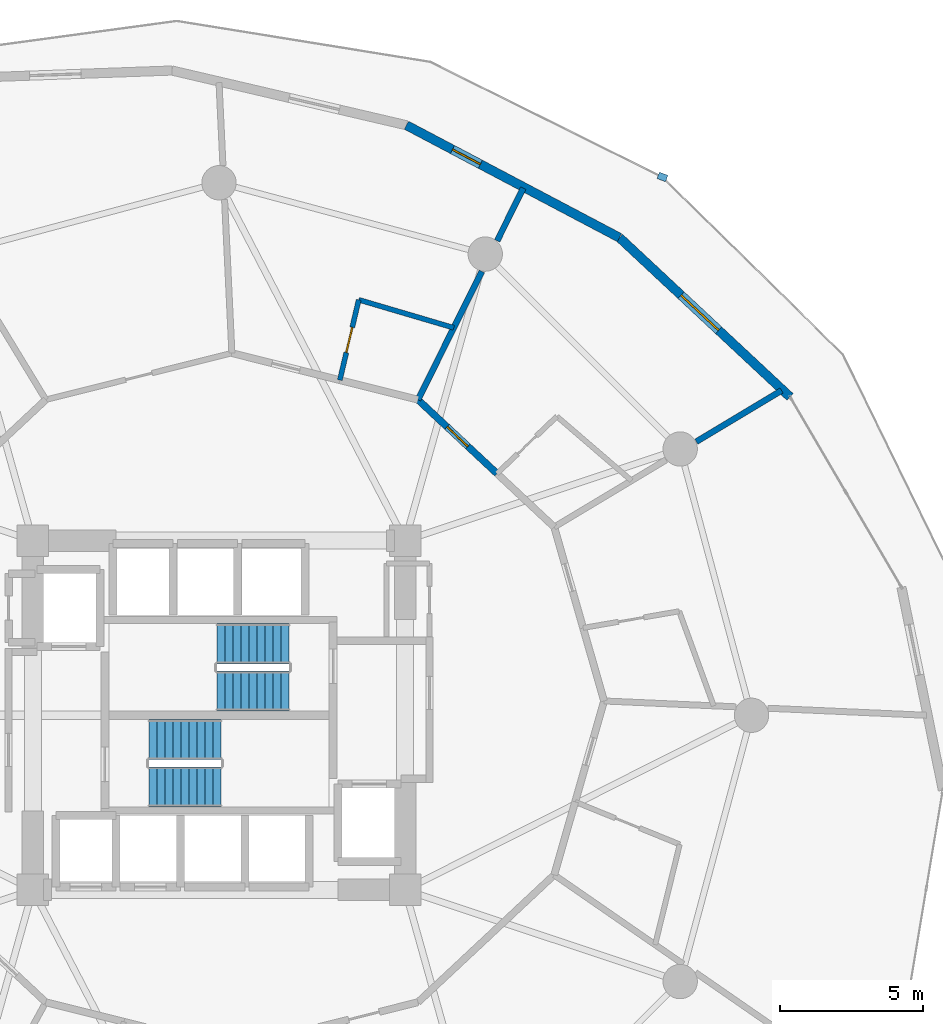
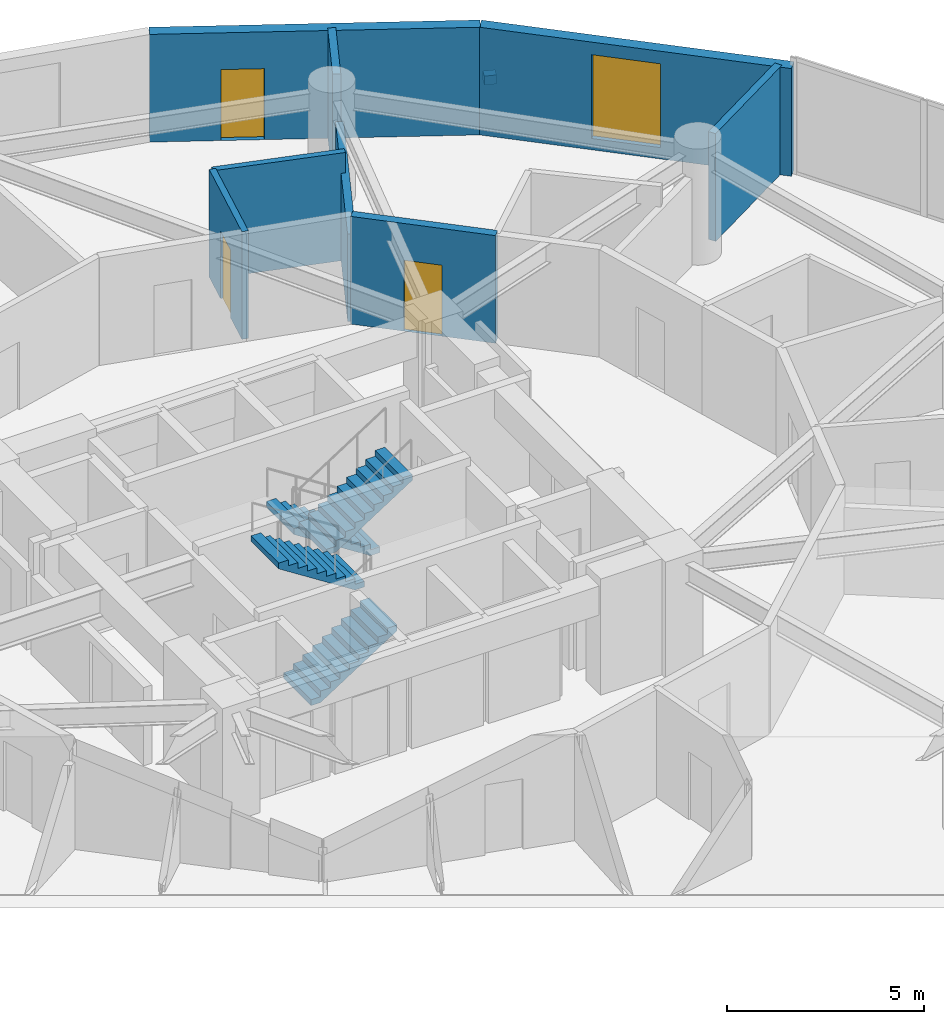
# One storey, part 21 of 23: 8 walls, 4 stair flights, 3 doors, 1 discrete accessory, 1 window, 4 openings, 2 elements without a shape of their own.
"""IFC4 building model written with IfcOpenShell, lengths in metres."""

from ifc_helpers import new_model, si_unit, direction, frame, frame_2d, origin, origin_2d, place, context, subcontext, project, spatial, polyline, rectangle, outline, extrude, material, layer, layer_set, type_object, element, fill, aggregate, save


model = new_model("IFC4")

# Units and contexts
model_context = context("Model", 3, precision=1e-05, world=origin(), true_north=direction((0.0, 1.0)))
body_context = subcontext(model_context, "Body", "Model", "MODEL_VIEW")
ifc_project = project(units=[si_unit("LENGTHUNIT", "METRE"), si_unit("AREAUNIT", "SQUARE_METRE"), si_unit("VOLUMEUNIT", "CUBIC_METRE"), si_unit("PLANEANGLEUNIT", "RADIAN"), si_unit("MASSUNIT", "GRAM", prefix="KILO")], contexts=[model_context])

# Site, building, storey
site_placement = place(None, origin())
site = spatial("IfcSite", under=ifc_project, at=site_placement, CompositionType="ELEMENT")
building_placement = place(site_placement, origin())
building = spatial("IfcBuilding", under=site, at=building_placement, Name="Solvirekh Grand Hotel", CompositionType="ELEMENT")
storey_placement = place(building_placement, frame((0.0, 0.0, 75.199951171875)))
storey = spatial("IfcBuildingStorey", under=building, at=storey_placement, Name="L18", CompositionType="ELEMENT", Elevation=75.199951171875)

# Wall, opening, window
ifc_material_1 = material(Name="Precast concrete C45/55", Category="concrete")
ifc_layer_1 = layer(ifc_material_1, 0.320068359375)
ifc_layer_set_1 = layer_set([ifc_layer_1], Name="Precast concrete C45/55")
wall_type_1 = type_object("IfcWallType", Name="ExtLobbyWall_RC320", PredefinedType="SOLIDWALL", material=ifc_layer_set_1)
wall_1_placement = place(storey_placement, frame((13.987060546875, 16.681884765625, 0.0), z_axis=(0.0, 0.0, 1.0), x_axis=(0.73100047145, -0.682376956484, 0.0)))
wall_1 = element("IfcWall", 1, at=wall_1_placement, inside=storey, type_object=wall_type_1, Name="L18 exterior structural wall chord 4", PredefinedType="SOLIDWALL", context=body_context, shape_type="SweptSolid", body=[
    extrude(rectangle(XDim=8.149169921875, YDim=0.320068359375, at=frame_2d((4.07470703125, 0.0))), origin(), (0.0, 0.0, 1.0), 3.340087890625),
])
opening_1_placement = place(wall_1_placement, frame((2.94091796875, 0.0, 0.35009765625)))
opening_1 = element("IfcOpeningElement", 2, at=opening_1_placement, cuts=wall_1, Name="Opening W02", PredefinedType="OPENING", context=body_context, shape_type="SweptSolid", body=[
    extrude(rectangle(XDim=1.800048828125, YDim=2.60009765625, at=frame_2d((0.89990234375, 1.300048828125))), frame((0.0, 0.169921875, 0.0), z_axis=(0.0, -1.0, 0.0), x_axis=(1.0, 0.0, 0.0)), (0.0, 0.0, 1.0), 0.340087890625),
])
ifc_material_2 = material(Name="Low-E Tinted Bronze Laminated Glass", Category="aluminium")
window_type = type_object("IfcWindowType", Name="Win_LobbyExt_1800X2600", PartitioningType="SINGLE_PANEL", PredefinedType="WINDOW", material=ifc_material_2)
window_placement = place(opening_1_placement, origin())
window = element("IfcWindow", 3, at=window_placement, inside=storey, type_object=window_type, Name="L18 panoramic bronze-framed window 4", OverallHeight=2.60009765625, OverallWidth=1.800048828125, PartitioningType="SINGLE_PANEL", PredefinedType="WINDOW", context=body_context, shape_type="SweptSolid", body=[
    extrude(rectangle(XDim=1.800048828125, YDim=2.60009765625, at=frame_2d((0.89990234375, 1.300048828125))), frame((0.0, 0.030029296875, 0.0), z_axis=(0.0, -1.0, 0.0), x_axis=(1.0, 0.0, 0.0)), (0.0, 0.0, 1.0), 0.06005859375),
])
fill(opening_1, window)

# Wall, opening, door
wall_2_placement = place(storey_placement, frame((6.547119140625, 20.60888671875, 0.0), z_axis=(0.0, 0.0, 1.0), x_axis=(0.88436678303, -0.466792666044, 0.0)))
wall_2 = element("IfcWall", 4, at=wall_2_placement, inside=storey, type_object=wall_type_1, Name="L18 exterior structural wall chord 5", PredefinedType="SOLIDWALL", context=body_context, shape_type="SweptSolid", body=[
    extrude(rectangle(XDim=8.412841796875, YDim=0.320068359375, at=frame_2d((4.20654296875, 0.0))), origin(), (0.0, 0.0, 1.0), 3.340087890625),
])
opening_2_placement = place(wall_2_placement, frame((1.818115234375, 0.0, 0.0)))
opening_2 = element("IfcOpeningElement", 5, at=opening_2_placement, cuts=wall_2, Name="Opening D03", PredefinedType="OPENING", context=body_context, shape_type="SweptSolid", body=[
    extrude(rectangle(XDim=1.10009765625, YDim=2.199951171875, at=frame_2d((0.550048828125, 1.10009765625))), frame((0.0, 0.169921875, 0.0), z_axis=(0.0, -1.0, 0.0), x_axis=(1.0, 0.0, 0.0)), (0.0, 0.0, 1.0), 0.340087890625),
])
ifc_material_3 = material(Name="Anodized Bronze Aluminium 6063-T6", Category="aluminium")
door_type_1 = type_object("IfcDoorType", Name="Door_ExtBalcony_1100X2200", OperationType="NOTDEFINED", PredefinedType="DOOR", material=ifc_material_3)
door_1_placement = place(opening_2_placement, origin())
door_1 = element("IfcDoor", 6, at=door_1_placement, inside=storey, type_object=door_type_1, Name="L18 Crescent balcony glazed door (5)", OperationType="SINGLE_SWING_RIGHT", OverallHeight=2.199951171875, OverallWidth=1.10009765625, PredefinedType="DOOR", context=body_context, shape_type="SweptSolid", body=[
    extrude(rectangle(XDim=1.10009765625, YDim=2.199951171875, at=frame_2d((0.550048828125, 1.10009765625))), frame((0.0, 0.02490234375, 0.0), z_axis=(0.0, -1.0, 0.0), x_axis=(1.0, 0.0, 0.0)), (0.0, 0.0, 1.0), 0.050048828125),
])
fill(opening_2, door_1)

ifc_material_4 = material(Name="Acoustic Gypsum Partition Assembly")
ifc_layer_2 = layer(ifc_material_4, 0.239990234375)
ifc_layer_set_2 = layer_set([ifc_layer_2], Name="Acoustic Gypsum Partition Assembly")
wall_type_2 = type_object("IfcWallType", Name="Part_Corridor_240", PredefinedType="PARTITIONING", material=ifc_layer_set_2)
wall_3_placement = place(storey_placement, frame((9.7099609375, 8.443115234375, 0.0), z_axis=(0.0, 0.0, 1.0), x_axis=(-0.730679025356, 0.682721145054, 0.0)))
wall_3 = element("IfcWall", 7, at=wall_3_placement, inside=storey, type_object=wall_type_2, Name="L18 Deluxe Guestroom 2008 entrance wall", PredefinedType="PARTITIONING", context=body_context, shape_type="SweptSolid", body=[
    extrude(rectangle(XDim=3.77734375, YDim=0.239990234375, at=frame_2d((1.888671875, 0.0))), origin(), (0.0, 0.0, 1.0), 3.340087890625),
])
opening_3_placement = place(wall_3_placement, frame((1.388916015625, 0.0, 0.0)))
opening_3 = element("IfcOpeningElement", 8, at=opening_3_placement, cuts=wall_3, Name="Opening D07", PredefinedType="OPENING", context=body_context, shape_type="SweptSolid", body=[
    extrude(rectangle(XDim=1.0, YDim=2.199951171875, at=frame_2d((0.5, 1.10009765625))), frame((0.0, 0.1298828125, 0.0), z_axis=(0.0, -1.0, 0.0), x_axis=(1.0, 0.0, 0.0)), (0.0, 0.0, 1.0), 0.260009765625),
])
ifc_material_5 = material(Name="Fire-Rated Steel Door Assembly", Category="steel")
door_type_2 = type_object("IfcDoorType", Name="Door_GuestEntry_1000X2200", OperationType="NOTDEFINED", PredefinedType="DOOR", material=ifc_material_5)
door_2_placement = place(opening_3_placement, origin())
door_2 = element("IfcDoor", 9, at=door_2_placement, inside=storey, type_object=door_type_2, Name="L18 Deluxe Guestroom 2008 entrance door", OperationType="SINGLE_SWING_RIGHT", OverallHeight=2.199951171875, OverallWidth=1.0, PredefinedType="DOOR", context=body_context, shape_type="SweptSolid", body=[
    extrude(rectangle(XDim=1.0, YDim=2.199951171875, at=frame_2d((0.5, 1.10009765625))), frame((0.0, 0.02490234375, 0.0), z_axis=(0.0, -1.0, 0.0), x_axis=(1.0, 0.0, 0.0)), (0.0, 0.0, 1.0), 0.050048828125),
])
fill(opening_3, door_2)

# Walls
ifc_layer_3 = layer(ifc_material_4, 0.2099609375)
ifc_layer_set_3 = layer_set([ifc_layer_3], Name="Acoustic Gypsum Partition Assembly")
wall_type_3 = type_object("IfcWallType", Name="Part_SuiteDemise_210", PredefinedType="PARTITIONING", material=ifc_layer_set_3)
wall_4_placement = place(storey_placement, frame((16.672119140625, 9.555908203125, 0.0), z_axis=(0.0, 0.0, 1.0), x_axis=(0.857238479405, 0.514919595109, 0.0)))
element("IfcWall", 10, at=wall_4_placement, inside=storey, type_object=wall_type_3, Name="L18 suite radial wall 2 (B)", PredefinedType="PARTITIONING", context=body_context, shape_type="SweptSolid", body=[
    extrude(rectangle(XDim=3.47265625, YDim=0.2099609375, at=frame_2d((1.736328125, 0.0))), origin(), (0.0, 0.0, 1.0), 3.340087890625),
])
wall_5_placement = place(storey_placement, frame((6.949951171875, 11.02197265625, 0.0), z_axis=(0.0, 0.0, 1.0), x_axis=(0.445768437474, 0.895148311819, 0.0)))
element("IfcWall", 11, at=wall_5_placement, inside=storey, type_object=wall_type_3, Name="L18 suite radial wall 3 (A)", PredefinedType="PARTITIONING", context=body_context, shape_type="SweptSolid", body=[
    extrude(rectangle(XDim=5.00244140625, YDim=0.2099609375, at=frame_2d((2.501220703125, 0.0))), origin(), (0.0, 0.0, 1.0), 2.708984375),
])
wall_6_placement = place(storey_placement, frame((9.712890625, 16.570068359375, 0.0), z_axis=(0.0, 0.0, 1.0), x_axis=(0.44588210897, 0.895091696365, 0.0)))
element("IfcWall", 12, at=wall_6_placement, inside=storey, type_object=wall_type_3, Name="L18 suite radial wall 3 (B)", PredefinedType="PARTITIONING", context=body_context, shape_type="SweptSolid", body=[
    extrude(rectangle(XDim=2.054443359375, YDim=0.2099609375, at=frame_2d((1.02734375, 0.0))), origin(), (0.0, 0.0, 1.0), 3.340087890625),
])
ifc_layer_4 = layer(ifc_material_4, 0.175048828125)
ifc_layer_set_4 = layer_set([ifc_layer_4], Name="Acoustic Gypsum Partition Assembly")
wall_type_4 = type_object("IfcWallType", Name="Plumb_Ensuite_175", PredefinedType="PLUMBINGWALL", material=ifc_layer_set_4)
wall_7_placement = place(storey_placement, frame((8.200927734375, 13.533935546875, 0.0), z_axis=(0.0, 0.0, 1.0), x_axis=(-0.95923959758, 0.282594045294, 0.0)))
element("IfcWall", 13, at=wall_7_placement, inside=storey, type_object=wall_type_4, Name="L18 En-suite Bathroom 2009 outer plumbing wall", PredefinedType="PLUMBINGWALL", context=body_context, shape_type="SweptSolid", body=[
    extrude(rectangle(XDim=3.4609375, YDim=0.175048828125, at=frame_2d((1.73046875, 0.0))), origin(), (0.0, 0.0, 1.0), 3.340087890625),
])

# Wall, opening, door
wall_8_placement = place(storey_placement, frame((4.219970703125, 11.7060546875, 0.0), z_axis=(0.0, 0.0, 1.0), x_axis=(0.229341431174, 0.973346037105, 0.0)))
wall_8 = element("IfcWall", 14, at=wall_8_placement, inside=storey, type_object=wall_type_4, Name="L18 En-suite Bathroom 2009 entry plumbing wall", PredefinedType="PLUMBINGWALL", context=body_context, shape_type="SweptSolid", body=[
    extrude(rectangle(XDim=2.8828125, YDim=0.175048828125, at=frame_2d((1.44140625, 0.0))), origin(), (0.0, 0.0, 1.0), 3.340087890625),
])
opening_4_placement = place(wall_8_placement, frame((0.990966796875, 0.0, 0.0)))
opening_4 = element("IfcOpeningElement", 15, at=opening_4_placement, cuts=wall_8, Name="Opening D09", PredefinedType="OPENING", context=body_context, shape_type="SweptSolid", body=[
    extrude(rectangle(XDim=0.89990234375, YDim=2.10009765625, at=frame_2d((0.449951171875, 1.050048828125))), frame((0.0, 0.09765625, 0.0), z_axis=(0.0, -1.0, 0.0), x_axis=(1.0, 0.0, 0.0)), (0.0, 0.0, 1.0), 0.195068359375),
])
door_type_3 = type_object("IfcDoorType", Name="Door_Ensuite_900X2100", OperationType="NOTDEFINED", PredefinedType="DOOR", material=ifc_material_3)
door_3_placement = place(opening_4_placement, origin())
door_3 = element("IfcDoor", 16, at=door_3_placement, inside=storey, type_object=door_type_3, Name="L18 En-suite Bathroom 2009 door", OperationType="SINGLE_SWING_LEFT", OverallHeight=2.10009765625, OverallWidth=0.89990234375, PredefinedType="DOOR", context=body_context, shape_type="SweptSolid", body=[
    extrude(rectangle(XDim=0.89990234375, YDim=2.10009765625, at=frame_2d((0.449951171875, 1.050048828125))), frame((0.0, 0.02490234375, 0.0), z_axis=(0.0, -1.0, 0.0), x_axis=(1.0, 0.0, 0.0)), (0.0, 0.0, 1.0), 0.050048828125),
])
fill(opening_4, door_3)

# Stair, stair flights
ifc_material_6 = material(Name="Concrete C40/50", Category="concrete")
stair_type = type_object("IfcStairType", Name="Stair_Core_1450", PredefinedType="HALF_TURN_STAIR", material=ifc_material_6)
stair_1_placement = place(storey_placement, origin())
stair_1 = element("IfcStair", 17, at=stair_1_placement, inside=storey, type_object=stair_type, Name="L18 Enclosed exit stair ST-1", PredefinedType="HALF_TURN_STAIR")
stair_flight_type = type_object("IfcStairFlightType", Name="Flight_Core_1450", PredefinedType="STRAIGHT", material=ifc_material_6)
stair_flight_1_placement = place(storey_placement, frame((-2.449951171875, -2.5, 0.0), z_axis=(0.0, 0.0, 1.0), x_axis=(1.0, 0.0, 0.0)))
stair_flight_1 = element("IfcStairFlight", 18, at=stair_flight_1_placement, type_object=stair_flight_type, Name="ST-1 flight 1", NumberOfRisers=10, NumberOfTreads=9, PredefinedType="STRAIGHT", RiserHeight=0.18, TreadLength=0.28, context=body_context, shape_type="SweptSolid", body=[
    extrude(outline(polyline([(0.0, 0.0), (0.0, 0.179931640625), (0.280029296875, 0.179931640625), (0.280029296875, 0.360107421875), (0.56005859375, 0.360107421875), (0.56005859375, 0.5400390625), (0.840087890625, 0.5400390625), (0.840087890625, 0.719970703125), (1.1201171875, 0.719970703125), (1.1201171875, 0.89990234375), (1.39990234375, 0.89990234375), (1.39990234375, 1.080078125), (1.679931640625, 1.080078125), (1.679931640625, 1.260009765625), (1.9599609375, 1.260009765625), (1.9599609375, 1.43994140625), (2.239990234375, 1.43994140625), (2.239990234375, 1.6201171875), (2.52001953125, 1.6201171875), (2.52001953125, 1.800048828125), (2.52001953125, 1.44189453125), (0.277099609375, 0.0), (0.0, 0.0)])), frame((0.0, 0.699951171875, 0.0), z_axis=(0.0, -1.0, 0.0), x_axis=(1.0, 0.0, 0.0)), (0.0, 0.0, 1.0), 1.39990234375),
])
stair_flight_2_placement = place(storey_placement, frame((0.070068359375, -0.85009765625, 1.800048828125), z_axis=(0.0, 0.0, 1.0), x_axis=(-1.0, 0.0, 0.0)))
stair_flight_2 = element("IfcStairFlight", 19, at=stair_flight_2_placement, type_object=stair_flight_type, Name="ST-1 flight 2", NumberOfRisers=10, NumberOfTreads=9, PredefinedType="STRAIGHT", RiserHeight=0.18, TreadLength=0.28, context=body_context, shape_type="SweptSolid", body=[
    extrude(outline(polyline([(0.0, 0.0), (0.0, 0.179931640625), (0.280029296875, 0.179931640625), (0.280029296875, 0.360107421875), (0.56005859375, 0.360107421875), (0.56005859375, 0.5400390625), (0.840087890625, 0.5400390625), (0.840087890625, 0.719970703125), (1.1201171875, 0.719970703125), (1.1201171875, 0.89990234375), (1.39990234375, 0.89990234375), (1.39990234375, 1.080078125), (1.679931640625, 1.080078125), (1.679931640625, 1.260009765625), (1.9599609375, 1.260009765625), (1.9599609375, 1.43994140625), (2.239990234375, 1.43994140625), (2.239990234375, 1.6201171875), (2.52001953125, 1.6201171875), (2.52001953125, 1.800048828125), (2.52001953125, 1.44189453125), (0.277099609375, 0.0), (0.0, 0.0)])), frame((0.0, 0.699951171875, 0.0), z_axis=(0.0, -1.0, 0.0), x_axis=(1.0, 0.0, 0.0)), (0.0, 0.0, 1.0), 1.39990234375),
])
aggregate(stair_1, [stair_flight_1, stair_flight_2])

stair_2_placement = place(storey_placement, origin())
stair_2 = element("IfcStair", 20, at=stair_2_placement, inside=storey, type_object=stair_type, Name="L18 Enclosed exit stair ST-2", PredefinedType="HALF_TURN_STAIR")
stair_flight_3_placement = place(storey_placement, frame((2.449951171875, 2.5, 0.0), z_axis=(0.0, 0.0, 1.0), x_axis=(-1.0, 0.0, 0.0)))
stair_flight_3 = element("IfcStairFlight", 21, at=stair_flight_3_placement, type_object=stair_flight_type, Name="ST-2 flight 1", NumberOfRisers=10, NumberOfTreads=9, PredefinedType="STRAIGHT", RiserHeight=0.18, TreadLength=0.28, context=body_context, shape_type="SweptSolid", body=[
    extrude(outline(polyline([(0.0, 0.0), (0.0, 0.179931640625), (0.280029296875, 0.179931640625), (0.280029296875, 0.360107421875), (0.56005859375, 0.360107421875), (0.56005859375, 0.5400390625), (0.840087890625, 0.5400390625), (0.840087890625, 0.719970703125), (1.1201171875, 0.719970703125), (1.1201171875, 0.89990234375), (1.39990234375, 0.89990234375), (1.39990234375, 1.080078125), (1.679931640625, 1.080078125), (1.679931640625, 1.260009765625), (1.9599609375, 1.260009765625), (1.9599609375, 1.43994140625), (2.239990234375, 1.43994140625), (2.239990234375, 1.6201171875), (2.52001953125, 1.6201171875), (2.52001953125, 1.800048828125), (2.52001953125, 1.44189453125), (0.277099609375, 0.0), (0.0, 0.0)])), frame((0.0, 0.699951171875, 0.0), z_axis=(0.0, -1.0, 0.0), x_axis=(1.0, 0.0, 0.0)), (0.0, 0.0, 1.0), 1.39990234375),
])
stair_flight_4_placement = place(storey_placement, frame((-0.070068359375, 0.85009765625, 1.800048828125), z_axis=(0.0, 0.0, 1.0), x_axis=(1.0, 0.0, 0.0)))
stair_flight_4 = element("IfcStairFlight", 22, at=stair_flight_4_placement, type_object=stair_flight_type, Name="ST-2 flight 2", NumberOfRisers=10, NumberOfTreads=9, PredefinedType="STRAIGHT", RiserHeight=0.18, TreadLength=0.28, context=body_context, shape_type="SweptSolid", body=[
    extrude(outline(polyline([(0.0, 0.0), (0.0, 0.179931640625), (0.280029296875, 0.179931640625), (0.280029296875, 0.360107421875), (0.56005859375, 0.360107421875), (0.56005859375, 0.5400390625), (0.840087890625, 0.5400390625), (0.840087890625, 0.719970703125), (1.1201171875, 0.719970703125), (1.1201171875, 0.89990234375), (1.39990234375, 0.89990234375), (1.39990234375, 1.080078125), (1.679931640625, 1.080078125), (1.679931640625, 1.260009765625), (1.9599609375, 1.260009765625), (1.9599609375, 1.43994140625), (2.239990234375, 1.43994140625), (2.239990234375, 1.6201171875), (2.52001953125, 1.6201171875), (2.52001953125, 1.800048828125), (2.52001953125, 1.44189453125), (0.277099609375, 0.0), (0.0, 0.0)])), frame((0.0, 0.699951171875, 0.0), z_axis=(0.0, -1.0, 0.0), x_axis=(1.0, 0.0, 0.0)), (0.0, 0.0, 1.0), 1.39990234375),
])
aggregate(stair_2, [stair_flight_3, stair_flight_4])

# Discrete accessory
ifc_material_7 = material(Name="Steel S355", Category="steel")
discrete_accessory_type = type_object("IfcDiscreteAccessoryType", Name="Acc_ThermalBracket", PredefinedType="BRACKET", material=ifc_material_7)
discrete_accessory_placement = place(storey_placement, frame((15.489013671875, 18.802978515625, -0.27978515625), z_axis=(0.0, 0.0, 1.0), x_axis=(0.936672189248, -0.350207381259, 0.0)))
element("IfcDiscreteAccessory", 23, at=discrete_accessory_placement, inside=storey, type_object=discrete_accessory_type, Name="L18 balcony thermal-break bracket", PredefinedType="BRACKET", context=body_context, shape_type="SweptSolid", body=[
    extrude(rectangle(XDim=0.320068359375, YDim=0.239990234375, at=origin_2d()), origin(), (0.0, 0.0, 1.0), 0.280029296875),
])

save(model, "model.ifc")
